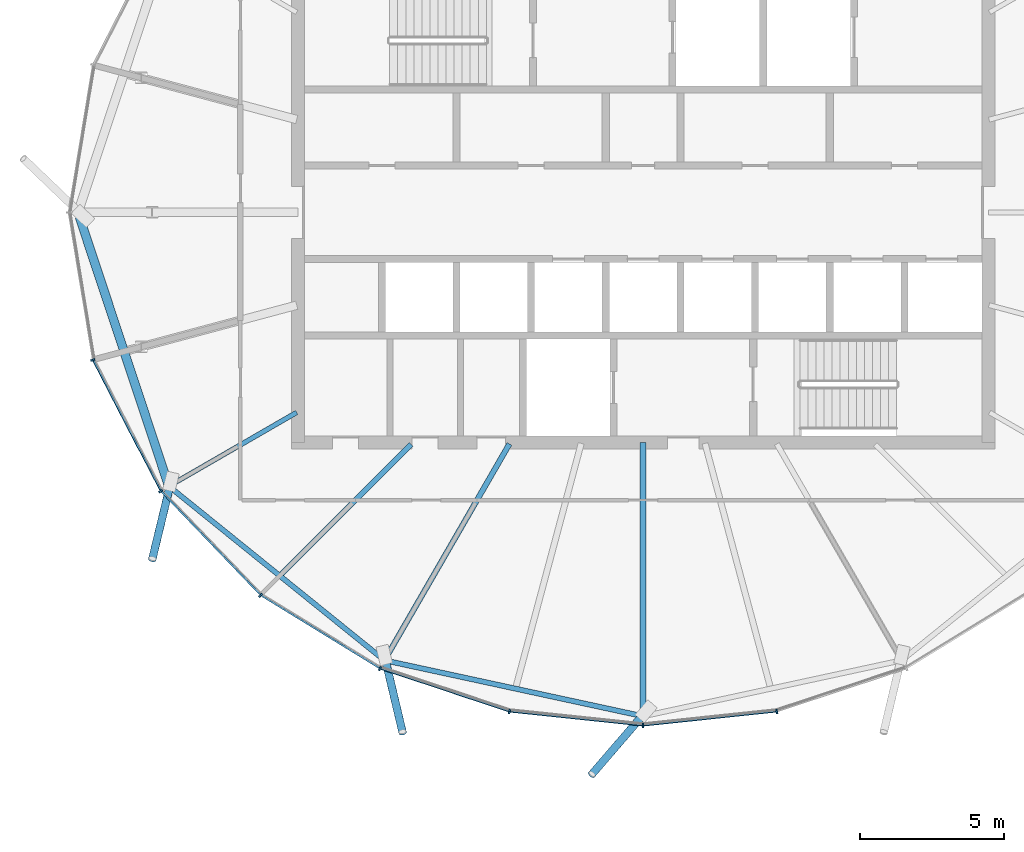
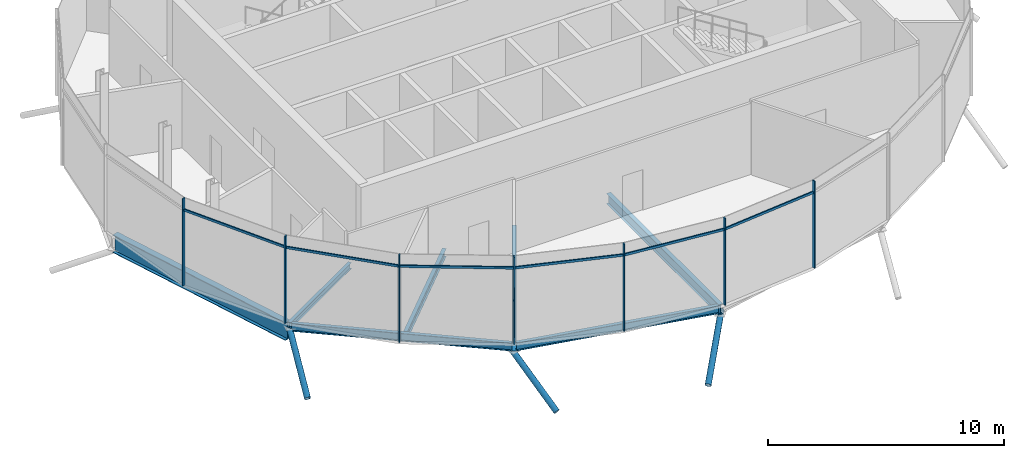
# One storey, part 3 of 31: 16 members, 7 beams, 1 element without a shape of its own.
"""IFC4 building model written with IfcOpenShell, lengths in metres."""

from ifc_helpers import new_model, si_unit, direction, frame, origin, origin_2d, place, context, subcontext, project, spatial, rectangle, hollow_circle, i_section, extrude, clip, halfspace, material, material_profile, profile_set, type_object, element, aggregate, save


model = new_model("IFC4")

# Units and contexts
model_context = context("Model", 3, precision=1e-05, world=origin(), true_north=direction((0.0, 1.0)))
body_context = subcontext(model_context, "Body", "Model", "MODEL_VIEW")
ifc_project = project(units=[si_unit("LENGTHUNIT", "METRE"), si_unit("AREAUNIT", "SQUARE_METRE"), si_unit("VOLUMEUNIT", "CUBIC_METRE"), si_unit("PLANEANGLEUNIT", "RADIAN"), si_unit("MASSUNIT", "GRAM", prefix="KILO")], contexts=[model_context])

# Site, building, storey
site_placement = place(None, origin())
site = spatial("IfcSite", under=ifc_project, at=site_placement, CompositionType="ELEMENT")
building_placement = place(site_placement, origin())
building = spatial("IfcBuilding", under=site, at=building_placement, Name="Rimbun Link Towers", CompositionType="ELEMENT")
storey_placement = place(building_placement, frame((0.0, 0.0, 263.10009765625)))
storey = spatial("IfcBuildingStorey", under=building, at=storey_placement, Name="L64", CompositionType="ELEMENT", Elevation=263.10009765625)

# Curtain wall, members
ifc_material_1 = material(Name="Aluminium 6063-T6 and low-iron glass", Category="aluminium")
curtain_wall_type = type_object("IfcCurtainWallType", Name="CW5 full height lobby wall", PredefinedType="NOTDEFINED", material=ifc_material_1)
curtain_wall_placement = place(storey_placement, origin())
curtain_wall = element("IfcCurtainWall", 1, at=curtain_wall_placement, inside=storey, type_object=curtain_wall_type, Name="CW5 L64 T1", PredefinedType="NOTDEFINED")
ifc_material_2 = material(Name="Aluminium 6063-T6", Category="aluminium")
ifc_material_profile_1 = material_profile(ifc_material_2, rectangle(XDim=0.14990234375, YDim=0.06005859375, at=origin_2d()), Name="MULLION 60X150")
ifc_profile_set_1 = profile_set([ifc_material_profile_1], Name="Aluminium 6063-T6")
member_type_1 = type_object("IfcMemberType", Name="CW5 mullion 60X150", PredefinedType="MULLION", material=ifc_profile_set_1)
member_1_placement = place(storey_placement, frame((-50.877685546875, -5.1298828125, 0.0), z_axis=(0.0, 0.0, 1.0), x_axis=(-0.949163280594, -0.314784159024, 0.0)))
member_1 = element("IfcMember", 2, at=member_1_placement, type_object=member_type_1, Name="CW5 mullion", PredefinedType="MULLION", context=body_context, shape_type="SweptSolid", body=[
    extrude(rectangle(XDim=0.14990234375, YDim=0.06005859375, at=origin_2d()), origin(), (0.0, 0.0, 1.0), 4.5),
])
member_2_placement = place(storey_placement, frame((-48.518310546875, -9.689697265625, 0.0), z_axis=(0.0, 0.0, 1.0), x_axis=(-0.813349912025, -0.581774802315, 0.0)))
member_2 = element("IfcMember", 3, at=member_2_placement, type_object=member_type_1, Name="CW5 mullion", PredefinedType="MULLION", context=body_context, shape_type="SweptSolid", body=[
    extrude(rectangle(XDim=0.14990234375, YDim=0.06005859375, at=origin_2d()), origin(), (0.0, 0.0, 1.0), 4.5),
])
member_3_placement = place(storey_placement, frame((-45.048095703125, -13.3095703125, 0.0), z_axis=(0.0, 0.0, 1.0), x_axis=(-0.627673907334, -0.778476374755, 0.0)))
member_3 = element("IfcMember", 4, at=member_3_placement, type_object=member_type_1, Name="CW5 mullion", PredefinedType="MULLION", context=body_context, shape_type="SweptSolid", body=[
    extrude(rectangle(XDim=0.14990234375, YDim=0.06005859375, at=origin_2d()), origin(), (0.0, 0.0, 1.0), 4.5),
])
member_4_placement = place(storey_placement, frame((-40.89794921875, -15.85791015625, 0.0), z_axis=(0.0, 0.0, 1.0), x_axis=(-0.421703725723, -0.906733680698, 0.0)))
member_4 = element("IfcMember", 5, at=member_4_placement, type_object=member_type_1, Name="CW5 mullion", PredefinedType="MULLION", context=body_context, shape_type="SweptSolid", body=[
    extrude(rectangle(XDim=0.14990234375, YDim=0.06005859375, at=origin_2d()), origin(), (0.0, 0.0, 1.0), 4.5),
])
member_5_placement = place(storey_placement, frame((-36.39501953125, -17.35009765625, 0.0), z_axis=(0.0, 0.0, 1.0), x_axis=(-0.210861265899, -0.977515998101, 0.0)))
member_5 = element("IfcMember", 6, at=member_5_placement, type_object=member_type_1, Name="CW5 mullion", PredefinedType="MULLION", context=body_context, shape_type="SweptSolid", body=[
    extrude(rectangle(XDim=0.14990234375, YDim=0.06005859375, at=origin_2d()), origin(), (0.0, 0.0, 1.0), 4.5),
])
member_6_placement = place(storey_placement, frame((-31.75, -17.83935546875, 0.0), z_axis=(0.0, 0.0, 1.0), x_axis=(0.0, -1.0, 0.0)))
member_6 = element("IfcMember", 7, at=member_6_placement, type_object=member_type_1, Name="CW5 mullion", PredefinedType="MULLION", context=body_context, shape_type="SweptSolid", body=[
    extrude(rectangle(XDim=0.14990234375, YDim=0.06005859375, at=origin_2d()), origin(), (0.0, 0.0, 1.0), 4.5),
])
member_7_placement = place(storey_placement, frame((-27.10498046875, -17.35009765625, 0.0), z_axis=(0.0, 0.0, 1.0), x_axis=(0.210861265899, -0.977515998101, 0.0)))
member_7 = element("IfcMember", 8, at=member_7_placement, type_object=member_type_1, Name="CW5 mullion", PredefinedType="MULLION", context=body_context, shape_type="SweptSolid", body=[
    extrude(rectangle(XDim=0.14990234375, YDim=0.06005859375, at=origin_2d()), origin(), (0.0, 0.0, 1.0), 4.5),
])
ifc_material_3 = material(Name="Aluminium 6063-T6", Category="aluminium")
ifc_material_profile_2 = material_profile(ifc_material_3, rectangle(XDim=0.06005859375, YDim=0.1201171875, at=origin_2d()), Name="TRANSOM 60X120")
ifc_profile_set_2 = profile_set([ifc_material_profile_2], Name="Aluminium 6063-T6")
member_type_2 = type_object("IfcMemberType", Name="CW5 transom 60X120", PredefinedType="USERDEFINED", material=ifc_profile_set_2)
member_8_placement = place(storey_placement, frame((-48.5263671875, -9.64794921875, 3.89990234375), z_axis=(-0.459524155552, 0.888165272043, 0.0), x_axis=(-0.888165272043, -0.459524155552, 0.0)))
member_8 = element("IfcMember", 9, at=member_8_placement, type_object=member_type_2, Name="CW5 transom", ObjectType="TRANSOM", PredefinedType="USERDEFINED", context=body_context, shape_type="SweptSolid", body=[
    extrude(rectangle(XDim=0.06005859375, YDim=0.1201171875, at=origin_2d()), origin(), (0.0, 0.0, 1.0), 5.051513671875),
])
member_9_placement = place(storey_placement, frame((-45.066650390625, -13.2724609375, 3.89990234375), z_axis=(-0.692032156482, 0.721866673559, 0.0), x_axis=(-0.721866673559, -0.692032156482, 0.0)))
member_9 = element("IfcMember", 10, at=member_9_placement, type_object=member_type_2, Name="CW5 transom", ObjectType="TRANSOM", PredefinedType="USERDEFINED", context=body_context, shape_type="SweptSolid", body=[
    extrude(rectangle(XDim=0.06005859375, YDim=0.1201171875, at=origin_2d()), origin(), (0.0, 0.0, 1.0), 4.934326171875),
])
member_10_placement = place(storey_placement, frame((-40.92431640625, -15.8271484375, 3.89990234375), z_axis=(-0.852170428622, 0.523264331463, 0.0), x_axis=(-0.523264331463, -0.852170428622, 0.0)))
member_10 = element("IfcMember", 11, at=member_10_placement, type_object=member_type_2, Name="CW5 transom", ObjectType="TRANSOM", PredefinedType="USERDEFINED", context=body_context, shape_type="SweptSolid", body=[
    extrude(rectangle(XDim=0.06005859375, YDim=0.1201171875, at=origin_2d()), origin(), (0.0, 0.0, 1.0), 4.792236328125),
])
member_11_placement = place(storey_placement, frame((-36.42724609375, -17.326171875, 3.89990234375), z_axis=(-0.94924154326, 0.31454807669, 0.0), x_axis=(-0.31454807669, -0.94924154326, 0.0)))
member_11 = element("IfcMember", 12, at=member_11_placement, type_object=member_type_2, Name="CW5 transom", ObjectType="TRANSOM", PredefinedType="USERDEFINED", context=body_context, shape_type="SweptSolid", body=[
    extrude(rectangle(XDim=0.06005859375, YDim=0.1201171875, at=origin_2d()), origin(), (0.0, 0.0, 1.0), 4.6669921875),
])
member_12_placement = place(storey_placement, frame((-31.786376953125, -17.82275390625, 3.89990234375), z_axis=(-0.994501084913, 0.104726272285, 0.0), x_axis=(-0.104726272285, -0.994501084913, 0.0)))
member_12 = element("IfcMember", 13, at=member_12_placement, type_object=member_type_2, Name="CW5 transom", ObjectType="TRANSOM", PredefinedType="USERDEFINED", context=body_context, shape_type="SweptSolid", body=[
    extrude(rectangle(XDim=0.06005859375, YDim=0.1201171875, at=origin_2d()), origin(), (0.0, 0.0, 1.0), 4.5947265625),
])
member_13_placement = place(storey_placement, frame((-27.14404296875, -17.341552734375, 3.89990234375), z_axis=(-0.994501084913, -0.104726272285, 0.0), x_axis=(0.104726272285, -0.994501084913, 0.0)))
member_13 = element("IfcMember", 14, at=member_13_placement, type_object=member_type_2, Name="CW5 transom", ObjectType="TRANSOM", PredefinedType="USERDEFINED", context=body_context, shape_type="SweptSolid", body=[
    extrude(rectangle(XDim=0.06005859375, YDim=0.1201171875, at=origin_2d()), origin(), (0.0, 0.0, 1.0), 4.5947265625),
])
aggregate(curtain_wall, [member_1, member_2, member_3, member_4, member_5, member_6, member_7, member_8, member_9, member_10, member_11, member_12, member_13])

# Members
ifc_material_4 = material(Name="Steel S355J2H", Category="steel")
ifc_material_profile_3 = material_profile(ifc_material_4, hollow_circle(Radius=0.136474609375, WallThickness=0.012451171875, at=origin_2d()), Name="CHS 273x12.5")
ifc_profile_set_3 = profile_set([ifc_material_profile_3], Name="Steel S355J2H")
member_type_3 = type_object("IfcMemberType", Name="Floor edge link CHS 273x12.5", PredefinedType="BRACE", material=ifc_profile_set_3)
member_14_placement = place(storey_placement, frame((-48.191162109375, -9.4921875, -0.5966796875), z_axis=(-0.195148833283, -0.80738046711, -0.556824670966), x_axis=(0.97200969757, -0.234940732588, 0.0)))
element("IfcMember", 15, at=member_14_placement, inside=storey, type_object=member_type_3, Name="Floor edge link T1 L64 14", PredefinedType="BRACE", context=body_context, shape_type="Clipping", body=[
    clip(extrude(hollow_circle(Radius=0.136474609375, WallThickness=0.012451171875, at=origin_2d()), frame((0.0, 0.0, -0.42529296875)), (0.0, 0.0, 1.0), 3.615478515625), halfspace(frame((0.0, 0.0, -0.19970703125), z_axis=(0.0, 0.830630053515, -0.556824670966)), False)),
])
member_15_placement = place(storey_placement, frame((-40.713623046875, -15.525390625, -0.748046875), z_axis=(0.193592249074, -0.817086900133, -0.543038708316), x_axis=(0.973061143771, 0.230547197953, 0.0)))
element("IfcMember", 16, at=member_15_placement, inside=storey, type_object=member_type_3, Name="Floor edge link T1 L64 16", PredefinedType="BRACE", context=body_context, shape_type="Clipping", body=[
    clip(extrude(hollow_circle(Radius=0.136474609375, WallThickness=0.012451171875, at=origin_2d()), frame((0.0, 0.0, -0.4404296875)), (0.0, 0.0, 1.0), 3.578125), halfspace(frame((0.0, 0.0, -0.207275390625), z_axis=(0.0, 0.839707664173, -0.543038708316)), False)),
])
member_16_placement = place(storey_placement, frame((-31.75, -17.462890625, -0.829833984375), z_axis=(-0.558053301231, -0.64767268507, -0.518745222629), x_axis=(0.757574926273, -0.652748214155, 0.0)))
element("IfcMember", 17, at=member_16_placement, inside=storey, type_object=member_type_3, Name="Floor edge link T1 L64 18", PredefinedType="BRACE", context=body_context, shape_type="Clipping", body=[
    clip(extrude(hollow_circle(Radius=0.136474609375, WallThickness=0.012451171875, at=origin_2d()), frame((0.0, 0.0, -0.46923828125)), (0.0, 0.0, 1.0), 3.6865234375), halfspace(frame((0.0, 0.0, -0.220947265625), z_axis=(0.0, 0.854928882422, -0.518745222629)), False)),
])

# Beams
ifc_material_5 = material(Name="Steel S355J2", Category="steel")
ifc_material_profile_4 = material_profile(ifc_material_5, i_section(OverallWidth=0.1650390625, OverallDepth=0.303466796875, WebThickness=0.006103515625, FlangeThickness=0.01025390625, at=origin_2d()), Name="UB 305x165x40")
ifc_profile_set_4 = profile_set([ifc_material_profile_4], Name="Steel S355J2")
beam_type_1 = type_object("IfcBeamType", Name="UB 305x165x40", PredefinedType="BEAM", material=ifc_profile_set_4)
beam_1_placement = place(storey_placement, frame((-43.7919921875, -6.952392578125, -0.331787109375), z_axis=(-0.866026286796, -0.499998470576, 0.0), x_axis=(0.499998470576, -0.866026286796, 0.0)))
element("IfcBeam", 18, at=beam_1_placement, inside=storey, type_object=beam_type_1, Name="Radial beam T1 L64 14", PredefinedType="BEAM", context=body_context, shape_type="SweptSolid", body=[
    extrude(i_section(OverallWidth=0.1650390625, OverallDepth=0.303466796875, WebThickness=0.006103515625, FlangeThickness=0.01025390625, at=origin_2d()), origin(), (0.0, 0.0, 1.0), 5.1298828125),
])
ifc_material_6 = material(Name="Steel S355J2", Category="steel")
ifc_material_profile_5 = material_profile(ifc_material_6, i_section(OverallWidth=0.177978515625, OverallDepth=0.406494140625, WebThickness=0.0078125, FlangeThickness=0.0126953125, at=origin_2d()), Name="UB 406x178x60")
ifc_profile_set_5 = profile_set([ifc_material_profile_5], Name="Steel S355J2")
beam_type_2 = type_object("IfcBeamType", Name="UB 406x178x60", PredefinedType="BEAM", material=ifc_profile_set_5)
beam_2_placement = place(storey_placement, frame((-39.813720703125, -8.063720703125, -0.38330078125), z_axis=(-0.707106781187, -0.707106781187, 0.0), x_axis=(0.707106781187, -0.707106781187, 0.0)))
element("IfcBeam", 19, at=beam_2_placement, inside=storey, type_object=beam_type_2, Name="Radial beam T1 L64 15", PredefinedType="BEAM", context=body_context, shape_type="SweptSolid", body=[
    extrude(i_section(OverallWidth=0.177978515625, OverallDepth=0.406494140625, WebThickness=0.0078125, FlangeThickness=0.0126953125, at=origin_2d()), origin(), (0.0, 0.0, 1.0), 6.366455078125),
])
beam_3_placement = place(storey_placement, frame((-48.164794921875, -9.573486328125, -0.38330078125), z_axis=(0.778080116304, -0.628165052046, 0.0), x_axis=(0.628165052046, 0.778080116304, 0.0)))
element("IfcBeam", 20, at=beam_3_placement, inside=storey, type_object=beam_type_2, Name="Edge beam T1 L64 14-16", PredefinedType="BEAM", context=body_context, shape_type="SweptSolid", body=[
    extrude(i_section(OverallWidth=0.177978515625, OverallDepth=0.406494140625, WebThickness=0.0078125, FlangeThickness=0.0126953125, at=origin_2d()), origin(), (0.0, 0.0, 1.0), 9.447021484375),
])
beam_4_placement = place(storey_placement, frame((-40.64013671875, -15.590087890625, -0.38330078125), z_axis=(0.977401121649, -0.21139311105, 0.0), x_axis=(0.21139311105, 0.977401121649, 0.0)))
element("IfcBeam", 21, at=beam_4_placement, inside=storey, type_object=beam_type_2, Name="Edge beam T1 L64 16-18", PredefinedType="BEAM", context=body_context, shape_type="SweptSolid", body=[
    extrude(i_section(OverallWidth=0.177978515625, OverallDepth=0.406494140625, WebThickness=0.0078125, FlangeThickness=0.0126953125, at=origin_2d()), origin(), (0.0, 0.0, 1.0), 8.987548828125),
])
ifc_material_7 = material(Name="Steel S355J2", Category="steel")
ifc_material_profile_6 = material_profile(ifc_material_7, i_section(OverallWidth=0.18994140625, OverallDepth=0.453369140625, WebThickness=0.008544921875, FlangeThickness=0.0126953125, at=origin_2d()), Name="UB 457x191x67")
ifc_profile_set_6 = profile_set([ifc_material_profile_6], Name="Steel S355J2")
beam_type_3 = type_object("IfcBeamType", Name="UB 457x191x67", PredefinedType="BEAM", material=ifc_profile_set_6)
beam_5_placement = place(storey_placement, frame((-36.396728515625, -8.04833984375, -0.40673828125), z_axis=(-0.500006374285, -0.866021723558, 0.0), x_axis=(0.866021723558, -0.500006374285, 0.0)))
element("IfcBeam", 22, at=beam_5_placement, inside=storey, type_object=beam_type_3, Name="Radial beam T1 L64 16", PredefinedType="BEAM", context=body_context, shape_type="SweptSolid", body=[
    extrude(i_section(OverallWidth=0.18994140625, OverallDepth=0.453369140625, WebThickness=0.008544921875, FlangeThickness=0.0126953125, at=origin_2d()), origin(), (0.0, 0.0, 1.0), 8.68408203125),
])
ifc_material_8 = material(Name="Steel S355J2", Category="steel")
ifc_material_profile_7 = material_profile(ifc_material_8, i_section(OverallWidth=0.209228515625, OverallDepth=0.533203125, WebThickness=0.010009765625, FlangeThickness=0.015625, at=origin_2d()), Name="UB 533x210x92")
ifc_profile_set_7 = profile_set([ifc_material_profile_7], Name="Steel S355J2")
beam_type_4 = type_object("IfcBeamType", Name="UB 533x210x92", PredefinedType="BEAM", material=ifc_profile_set_7)
beam_6_placement = place(storey_placement, frame((-31.75, -8.0009765625, -0.446533203125), z_axis=(0.0, -1.0, 0.0), x_axis=(1.0, 0.0, 0.0)))
element("IfcBeam", 23, at=beam_6_placement, inside=storey, type_object=beam_type_4, Name="Radial beam T1 L64 18", PredefinedType="BEAM", context=body_context, shape_type="SweptSolid", body=[
    extrude(i_section(OverallWidth=0.209228515625, OverallDepth=0.533203125, WebThickness=0.010009765625, FlangeThickness=0.015625, at=origin_2d()), origin(), (0.0, 0.0, 1.0), 9.511962890625),
])
ifc_material_9 = material(Name="Steel S355J2", Category="steel")
ifc_material_profile_8 = material_profile(ifc_material_9, i_section(OverallWidth=0.305419921875, OverallDepth=0.91845703125, WebThickness=0.017333984375, FlangeThickness=0.02783203125, at=origin_2d()), Name="UB 914x305x253")
ifc_profile_set_8 = profile_set([ifc_material_profile_8], Name="Steel S355J2")
beam_type_5 = type_object("IfcBeamType", Name="UB 914x305x253", PredefinedType="BEAM", material=ifc_profile_set_8)
beam_7_placement = place(storey_placement, frame((-51.34375, -0.147216796875, -0.639404296875), z_axis=(0.314955287819, -0.949106509658, 0.0), x_axis=(0.949106509658, 0.314955287819, 0.0)))
element("IfcBeam", 24, at=beam_7_placement, inside=storey, type_object=beam_type_5, Name="Edge beam T1 L64 12-14", PredefinedType="BEAM", context=body_context, shape_type="SweptSolid", body=[
    extrude(i_section(OverallWidth=0.305419921875, OverallDepth=0.91845703125, WebThickness=0.017333984375, FlangeThickness=0.02783203125, at=origin_2d()), origin(), (0.0, 0.0, 1.0), 9.787109375),
])

save(model, "model.ifc")
